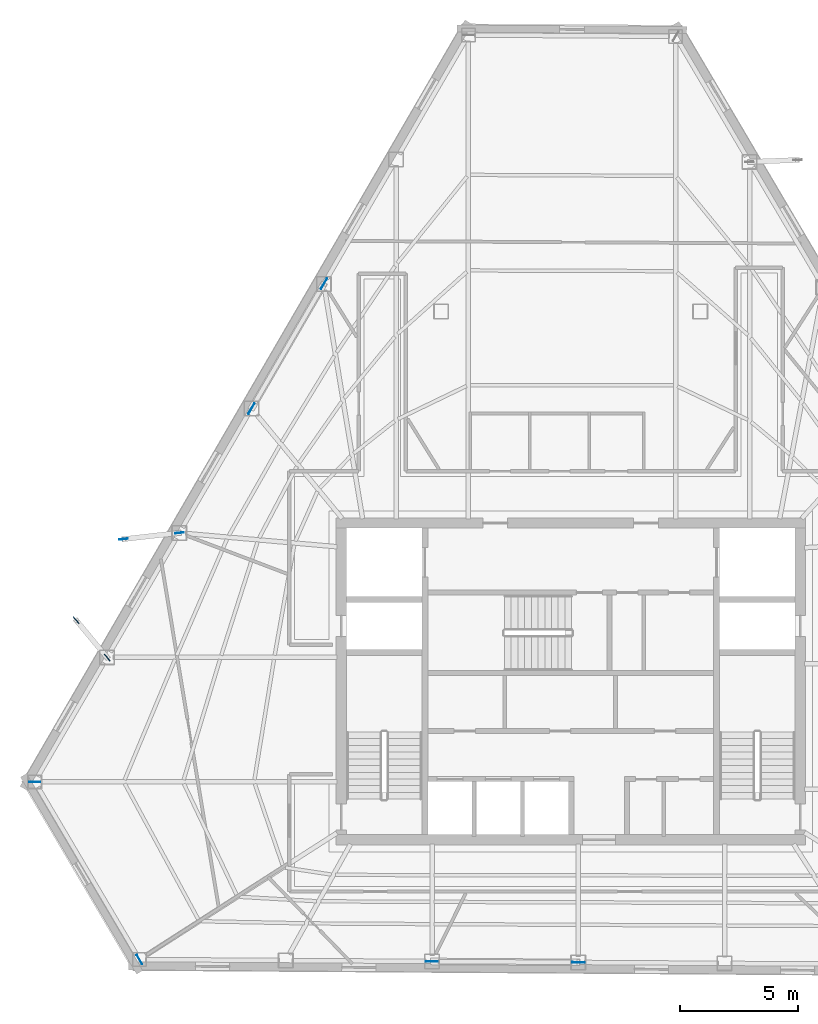
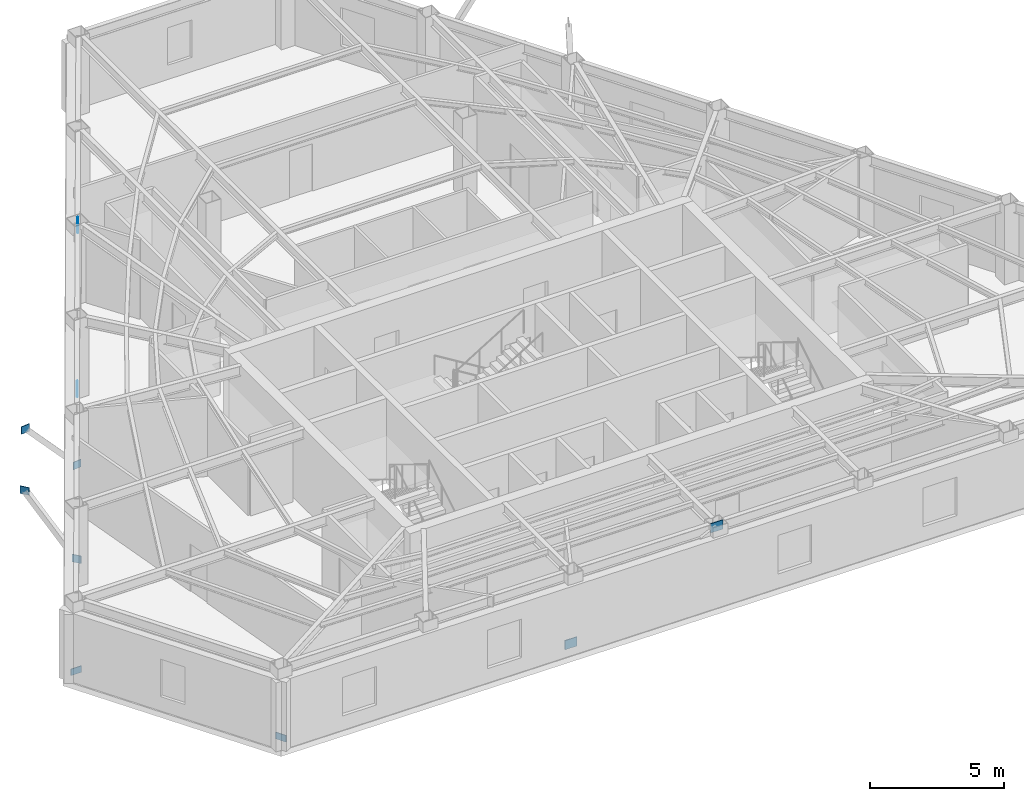
# One storey, part 4 of 11: 10 plates.
"""IFC4 building model written with IfcOpenShell, lengths in metres."""

from ifc_helpers import new_model, si_unit, direction, frame, origin, origin_2d, place, context, subcontext, project, spatial, rectangle, extrude, material, layer, layer_set, type_object, element, save


model = new_model("IFC4")

# Units and contexts
model_context = context("Model", 3, precision=1e-05, world=origin(), true_north=direction((0.0, 1.0)))
body_context = subcontext(model_context, "Body", "Model", "MODEL_VIEW")
ifc_project = project(units=[si_unit("LENGTHUNIT", "METRE"), si_unit("AREAUNIT", "SQUARE_METRE"), si_unit("VOLUMEUNIT", "CUBIC_METRE"), si_unit("PLANEANGLEUNIT", "RADIAN"), si_unit("MASSUNIT", "GRAM", prefix="KILO")], contexts=[model_context])

# Site, building, storey
site_placement = place(None, origin())
site = spatial("IfcSite", under=ifc_project, at=site_placement, CompositionType="ELEMENT")
building_placement = place(site_placement, origin())
building = spatial("IfcBuilding", under=site, at=building_placement, Name="Kavelnor Concourse Tower", CompositionType="ELEMENT")
storey_placement = place(building_placement, frame((0.0, 0.0, 195.800048828125)))
storey = spatial("IfcBuildingStorey", under=building, at=storey_placement, Name="L49", CompositionType="ELEMENT", Elevation=195.800048828125)

# Plates
ifc_material = material(Name="Steel Grade 350", Category="steel")
ifc_layer_1 = layer(ifc_material, 0.028076171875, Name="Steel Grade 350")
ifc_layer_set_1 = layer_set([ifc_layer_1], Name="Steel Grade 350")
plate_type_1 = type_object("IfcPlateType", Name="PL-GUSSET-FOLD", PredefinedType="USERDEFINED", material=ifc_layer_set_1)
for number, where, z_axis, x_axis, name in (
    (1, (15.248046875, 11.835205078125, 0.10009765625), (0.0, 0.0, 1.0), (1.0, 0.0, 0.0), "L49 Herringbone Corner-Fold Kink Gusset Plate F0-B6"),
    (2, (19.694091796875, 4.292236328125, 0.10009765625), (0.0, 0.0, 1.0), (-0.5, 0.866025403784, 0.0), "L49 Herringbone Corner-Fold Kink Gusset Plate F1-B0"),
):
    element("IfcPlate", number, at=place(storey_placement, frame(where, z_axis=z_axis, x_axis=x_axis)), inside=storey, type_object=plate_type_1, Name=name, ObjectType="GUSSET_PLATE", PredefinedType="USERDEFINED", context=body_context, shape_type="SweptSolid", body=[
        extrude(rectangle(XDim=0.4599609375, YDim=0.028076171875, at=origin_2d()), origin(), (0.0, 0.0, 1.0), 0.300048828125),
    ])
for number, where, z_axis, x_axis, name in (
    (3, (21.3955078125, 22.404052734375, 0.8798828125), (0.0, 0.0, 1.0), (-0.993845496974, -0.110775124211, 0.0), "L49 Balcony Strut Gusset GP4 2-A End Gusset A"),
    (4, (19.019287109375, 22.13916015625, 3.48486328125), (0.0, 0.0, 1.0), (-0.993845496974, -0.110775124211, 0.0), "L49 Balcony Strut Gusset GP4 2-A End Gusset B"),
    (5, (18.323486328125, 17.10986328125, 0.8798828125), (0.0, 0.0, 1.0), (-0.639304804028, 0.768953423522, 0.0), "L49 Balcony Strut Gusset GP4 2-B End Gusset A"),
    (6, (17.00341796875, 18.697265625, 3.48486328125), (0.0, 0.0, 1.0), (-0.639304804028, 0.768953423522, 0.0), "L49 Balcony Strut Gusset GP4 2-B End Gusset B"),
):
    element("IfcPlate", number, at=place(storey_placement, frame(where, z_axis=z_axis, x_axis=x_axis)), inside=storey, type_object=plate_type_1, Name=name, ObjectType="GUSSET_PLATE", PredefinedType="USERDEFINED", context=body_context, shape_type="SweptSolid", body=[
        extrude(rectangle(XDim=0.360107421875, YDim=0.028076171875, at=origin_2d()), origin(), (0.0, 0.0, 1.0), 0.340087890625),
    ])
ifc_layer_2 = layer(ifc_material, 0.031982421875, Name="Steel Grade 350")
ifc_layer_set_2 = layer_set([ifc_layer_2], Name="Steel Grade 350")
plate_type_2 = type_object("IfcPlateType", Name="PL-GUSSET-TUBE-Z1", PredefinedType="USERDEFINED", material=ifc_layer_set_2)
for number, where, z_axis, x_axis, name in (
    (7, (24.4453125, 27.67626953125, 0.010009765625), (0.0, 0.0, 1.0), (0.502114604528, 0.864801089222, 0.0), "L49 Tube Brace Gusset GP3 F0-B2 End Gusset A"),
    (8, (27.525146484375, 32.980712890625, 3.159912109375), (0.0, 0.0, 1.0), (0.502114604528, 0.864801089222, 0.0), "L49 Tube Brace Gusset GP3 F0-B2 End Gusset B"),
    (9, (32.10009765625, 4.2109375, 0.010009765625), (0.0, 0.0, 1.0), (0.999978006703, -0.006632202536, 0.0), "L49 Tube Brace Gusset GP3 F1-B2 End Gusset A"),
    (10, (38.3330078125, 4.169921875, 3.159912109375), (0.0, 0.0, 1.0), (0.999978006703, -0.006632202536, 0.0), "L49 Tube Brace Gusset GP3 F1-B2 End Gusset B"),
):
    element("IfcPlate", number, at=place(storey_placement, frame(where, z_axis=z_axis, x_axis=x_axis)), inside=storey, type_object=plate_type_2, Name=name, ObjectType="GUSSET_PLATE", PredefinedType="USERDEFINED", context=body_context, shape_type="SweptSolid", body=[
        extrude(rectangle(XDim=0.52001953125, YDim=0.031982421875, at=origin_2d()), origin(), (0.0, 0.0, 1.0), 0.419921875),
    ])

save(model, "model.ifc")
